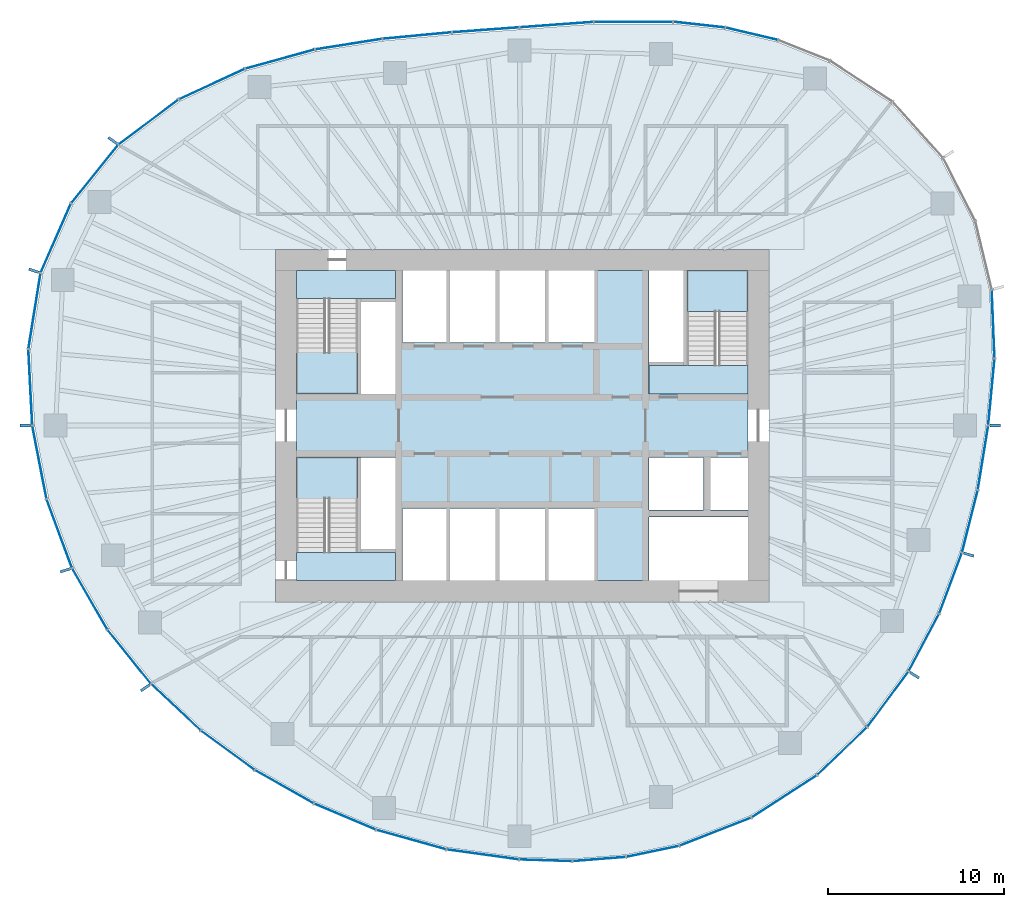
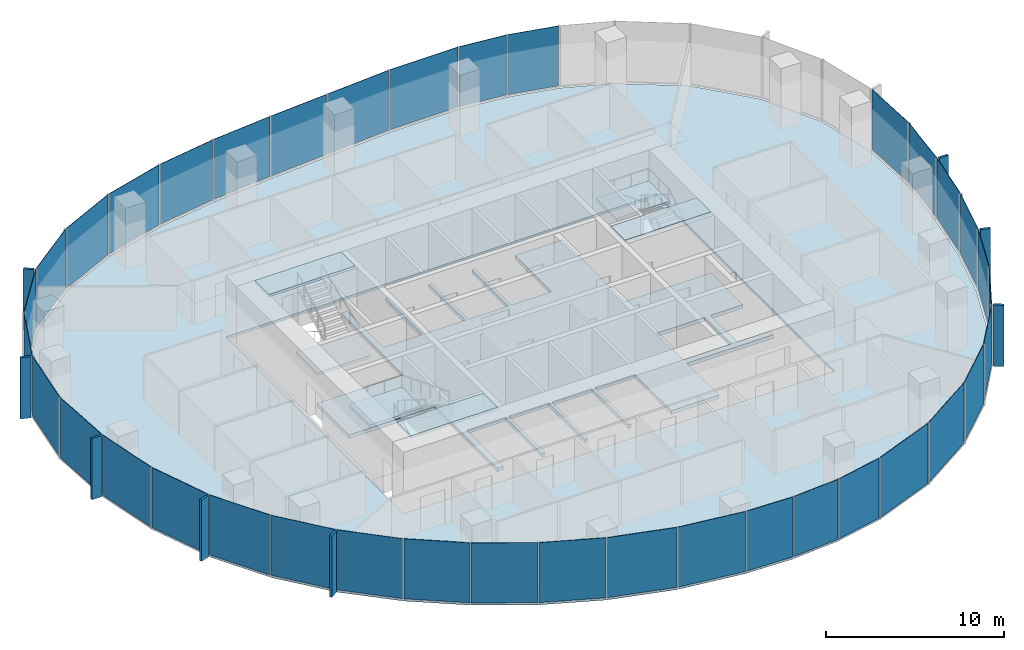
# One storey, part 7 of 12: 45 plates, 8 slabs, 21 elements without a shape of their own.
"""IFC4 building model written with IfcOpenShell, lengths in metres."""

from ifc_helpers import new_model, si_unit, direction, frame, origin, origin_2d, place, context, subcontext, project, spatial, polyline, rectangle, outline, extrude, material, layer, layer_set, type_object, element, aggregate, save


model = new_model("IFC4")

# Units and contexts
model_context = context("Model", 3, precision=1e-05, world=origin(), true_north=direction((0.0, 1.0)))
body_context = subcontext(model_context, "Body", "Model", "MODEL_VIEW")
ifc_project = project(units=[si_unit("LENGTHUNIT", "METRE"), si_unit("AREAUNIT", "SQUARE_METRE"), si_unit("VOLUMEUNIT", "CUBIC_METRE"), si_unit("PLANEANGLEUNIT", "RADIAN"), si_unit("MASSUNIT", "GRAM", prefix="KILO")], contexts=[model_context])

# Site, building, storey
site_placement = place(None, origin())
site = spatial("IfcSite", under=ifc_project, at=site_placement, CompositionType="ELEMENT")
building_placement = place(site_placement, origin())
building = spatial("IfcBuilding", under=site, at=building_placement, Name="Ghaith Harvest Tower", CompositionType="ELEMENT")
storey_placement = place(building_placement, frame((0.0, 0.0, 203.199951171875)))
storey = spatial("IfcBuildingStorey", under=building, at=storey_placement, Name="L44", CompositionType="ELEMENT", Elevation=203.199951171875)

# Curtain wall, plates
ifc_material_1 = material(Name="Black anodised aluminium and fritted glass", Category="aluminium")
curtain_wall_type = type_object("IfcCurtainWallType", Name="CW-H CURTAIN WALL", PredefinedType="NOTDEFINED", material=ifc_material_1)
curtain_wall_1_placement = place(storey_placement, origin())
curtain_wall_1 = element("IfcCurtainWall", 1, at=curtain_wall_1_placement, inside=storey, type_object=curtain_wall_type, Name="Curtain wall CW-H bay 01 L44", PredefinedType="NOTDEFINED")
ifc_material_2 = material(Name="Glass, dark solar-control fritted double glazed unit", Category="glass")
ifc_layer_1 = layer(ifc_material_2, 0.030029296875)
ifc_layer_set_1 = layer_set([ifc_layer_1], Name="CW-H VISION PANEL")
plate_type_1 = type_object("IfcPlateType", Name="CW-H VISION PANEL", PredefinedType="CURTAIN_PANEL", material=ifc_layer_set_1)
plate_1_placement = place(storey_placement, frame((26.624755859375, 1.89794921875, 0.080078125), z_axis=(0.0, 0.0, 1.0), x_axis=(0.094301909937, 0.995543645343, 0.0)))
plate_1 = element("IfcPlate", 2, at=plate_1_placement, type_object=plate_type_1, Name="CW-H glass unit 1 bay 01 L44", PredefinedType="CURTAIN_PANEL", context=body_context, shape_type="SweptSolid", body=[
    extrude(rectangle(XDim=3.73291015625, YDim=0.030029296875, at=origin_2d()), origin(), (0.0, 0.0, 1.0), 4.1201171875),
])
plate_2_placement = place(storey_placement, frame((26.7255859375, 5.74853515625, 0.080078125), z_axis=(0.0, 0.0, 1.0), x_axis=(-0.040462173218, 0.999181070947, 0.0)))
plate_2 = element("IfcPlate", 3, at=plate_2_placement, type_object=plate_type_1, Name="CW-H glass unit 2 bay 01 L44", PredefinedType="CURTAIN_PANEL", context=body_context, shape_type="SweptSolid", body=[
    extrude(rectangle(XDim=3.82861328125, YDim=0.030029296875, at=origin_2d()), origin(), (0.0, 0.0, 1.0), 4.1201171875),
])
aggregate(curtain_wall_1, [plate_1, plate_2])

curtain_wall_2_placement = place(storey_placement, origin())
curtain_wall_2 = element("IfcCurtainWall", 4, at=curtain_wall_2_placement, inside=storey, type_object=curtain_wall_type, Name="Curtain wall CW-H bay 04 L44", PredefinedType="NOTDEFINED")
plate_3_placement = place(storey_placement, frame((13.027099609375, 22.225341796875, 0.080078125), z_axis=(0.0, 0.0, 1.0), x_axis=(-0.973266235028, 0.229679854916, 0.0)))
plate_3 = element("IfcPlate", 5, at=plate_3_placement, type_object=plate_type_1, Name="CW-H glass unit 2 bay 04 L44", PredefinedType="CURTAIN_PANEL", context=body_context, shape_type="SweptSolid", body=[
    extrude(rectangle(XDim=3.00244140625, YDim=0.030029296875, at=origin_2d()), origin(), (0.0, 0.0, 1.0), 4.1201171875),
])
plate_4_placement = place(storey_placement, frame((10.045654296875, 22.744384765625, 0.080078125), z_axis=(0.0, 0.0, 1.0), x_axis=(-0.993865217442, 0.11059805405, 0.0)))
plate_4 = element("IfcPlate", 6, at=plate_4_placement, type_object=plate_type_1, Name="CW-H glass unit 3 bay 04 L44", PredefinedType="CURTAIN_PANEL", context=body_context, shape_type="SweptSolid", body=[
    extrude(rectangle(XDim=2.901123046875, YDim=0.030029296875, at=origin_2d()), origin(), (0.0, 0.0, 1.0), 4.1201171875),
])
aggregate(curtain_wall_2, [plate_3, plate_4])

curtain_wall_3_placement = place(storey_placement, origin())
curtain_wall_3 = element("IfcCurtainWall", 7, at=curtain_wall_3_placement, inside=storey, type_object=curtain_wall_type, Name="Curtain wall CW-H bay 05 L44", PredefinedType="NOTDEFINED")
plate_5_placement = place(storey_placement, frame((6.31201171875, 22.904296875, 0.080078125), z_axis=(0.0, 0.0, 1.0), x_axis=(-0.999997643645, -0.002170876291, 0.0)))
plate_5 = element("IfcPlate", 8, at=plate_5_placement, type_object=plate_type_1, Name="CW-H glass unit 1 bay 05 L44", PredefinedType="CURTAIN_PANEL", context=body_context, shape_type="SweptSolid", body=[
    extrude(rectangle(XDim=4.4248046875, YDim=0.030029296875, at=origin_2d()), origin(), (0.0, 0.0, 1.0), 4.1201171875),
])
plate_6_placement = place(storey_placement, frame((1.952392578125, 22.744873046875, 0.080078125), z_axis=(0.0, 0.0, 1.0), x_axis=(-0.997324570719, -0.073100619976, 0.0)))
plate_6 = element("IfcPlate", 9, at=plate_6_placement, type_object=plate_type_1, Name="CW-H glass unit 2 bay 05 L44", PredefinedType="CURTAIN_PANEL", context=body_context, shape_type="SweptSolid", body=[
    extrude(rectangle(XDim=4.1455078125, YDim=0.030029296875, at=origin_2d()), origin(), (0.0, 0.0, 1.0), 4.1201171875),
])
aggregate(curtain_wall_3, [plate_5, plate_6])

curtain_wall_4_placement = place(storey_placement, origin())
curtain_wall_4 = element("IfcCurtainWall", 10, at=curtain_wall_4_placement, inside=storey, type_object=curtain_wall_type, Name="Curtain wall CW-H bay 06 L44", PredefinedType="NOTDEFINED")
plate_7_placement = place(storey_placement, frame((-2.0693359375, 22.450439453125, 0.080078125), z_axis=(0.0, 0.0, 1.0), x_axis=(-0.997334393671, -0.072966479985, 0.0)))
plate_7 = element("IfcPlate", 11, at=plate_7_placement, type_object=plate_type_1, Name="CW-H glass unit 1 bay 06 L44", PredefinedType="CURTAIN_PANEL", context=body_context, shape_type="SweptSolid", body=[
    extrude(rectangle(XDim=3.759765625, YDim=0.030029296875, at=origin_2d()), origin(), (0.0, 0.0, 1.0), 4.1201171875),
])
plate_8_placement = place(storey_placement, frame((-5.954345703125, 22.12548828125, 0.080078125), z_axis=(0.0, 0.0, 1.0), x_axis=(-0.995631991968, -0.093364535934, 0.0)))
plate_8 = element("IfcPlate", 12, at=plate_8_placement, type_object=plate_type_1, Name="CW-H glass unit 2 bay 06 L44", PredefinedType="CURTAIN_PANEL", context=body_context, shape_type="SweptSolid", body=[
    extrude(rectangle(XDim=3.87744140625, YDim=0.030029296875, at=origin_2d()), origin(), (0.0, 0.0, 1.0), 4.1201171875),
])
aggregate(curtain_wall_4, [plate_7, plate_8])

curtain_wall_5_placement = place(storey_placement, origin())
curtain_wall_5 = element("IfcCurtainWall", 13, at=curtain_wall_5_placement, inside=storey, type_object=curtain_wall_type, Name="Curtain wall CW-H bay 07 L44", PredefinedType="NOTDEFINED")
plate_9_placement = place(storey_placement, frame((-9.83837890625, 21.638671875, 0.080078125), z_axis=(0.0, 0.0, 1.0), x_axis=(-0.98777033338, -0.155915901993, 0.0)))
plate_9 = element("IfcPlate", 14, at=plate_9_placement, type_object=plate_type_1, Name="CW-H glass unit 1 bay 07 L44", PredefinedType="CURTAIN_PANEL", context=body_context, shape_type="SweptSolid", body=[
    extrude(rectangle(XDim=3.795166015625, YDim=0.030029296875, at=origin_2d()), origin(), (0.0, 0.0, 1.0), 4.1201171875),
])
plate_10_placement = place(storey_placement, frame((-13.736572265625, 20.78955078125, 0.080078125), z_axis=(0.0, 0.0, 1.0), x_axis=(-0.964034113875, -0.26577853052, 0.0)))
plate_10 = element("IfcPlate", 15, at=plate_10_placement, type_object=plate_type_1, Name="CW-H glass unit 2 bay 07 L44", PredefinedType="CURTAIN_PANEL", context=body_context, shape_type="SweptSolid", body=[
    extrude(rectangle(XDim=4.03662109375, YDim=0.030029296875, at=origin_2d()), origin(), (0.0, 0.0, 1.0), 4.1201171875),
])
aggregate(curtain_wall_5, [plate_9, plate_10])

curtain_wall_6_placement = place(storey_placement, origin())
curtain_wall_6 = element("IfcCurtainWall", 16, at=curtain_wall_6_placement, inside=storey, type_object=curtain_wall_type, Name="Curtain wall CW-H bay 08 L44", PredefinedType="NOTDEFINED")
plate_11_placement = place(storey_placement, frame((-17.608154296875, 19.370849609375, 0.080078125), z_axis=(0.0, 0.0, 1.0), x_axis=(-0.907814470414, -0.419372015408, 0.0)))
plate_11 = element("IfcPlate", 17, at=plate_11_placement, type_object=plate_type_1, Name="CW-H glass unit 1 bay 08 L44", PredefinedType="CURTAIN_PANEL", context=body_context, shape_type="SweptSolid", body=[
    extrude(rectangle(XDim=4.077392578125, YDim=0.030029296875, at=origin_2d()), origin(), (0.0, 0.0, 1.0), 4.1201171875),
])
plate_12_placement = place(storey_placement, frame((-21.20166015625, 17.219482421875, 0.080078125), z_axis=(0.0, 0.0, 1.0), x_axis=(-0.800067053187, -0.599910585341, 0.0)))
plate_12 = element("IfcPlate", 18, at=plate_12_placement, type_object=plate_type_1, Name="CW-H glass unit 2 bay 08 L44", PredefinedType="CURTAIN_PANEL", context=body_context, shape_type="SweptSolid", body=[
    extrude(rectangle(XDim=4.18603515625, YDim=0.030029296875, at=origin_2d()), origin(), (0.0, 0.0, 1.0), 4.1201171875),
])
aggregate(curtain_wall_6, [plate_11, plate_12])

curtain_wall_7_placement = place(storey_placement, origin())
curtain_wall_7 = element("IfcCurtainWall", 19, at=curtain_wall_7_placement, inside=storey, type_object=curtain_wall_type, Name="Curtain wall CW-H bay 09 L44", PredefinedType="NOTDEFINED")
plate_13_placement = place(storey_placement, frame((-24.25390625, 14.270263671875, 0.080078125), z_axis=(0.0, 0.0, 1.0), x_axis=(-0.627547637499, -0.778578167347, 0.0)))
plate_13 = element("IfcPlate", 20, at=plate_13_placement, type_object=plate_type_1, Name="CW-H glass unit 1 bay 09 L44", PredefinedType="CURTAIN_PANEL", context=body_context, shape_type="SweptSolid", body=[
    extrude(rectangle(XDim=4.208740234375, YDim=0.030029296875, at=origin_2d()), origin(), (0.0, 0.0, 1.0), 4.1201171875),
])
plate_14_placement = place(storey_placement, frame((-26.462646484375, 10.63037109375, 0.080078125), z_axis=(0.0, 0.0, 1.0), x_axis=(-0.40121291108, -0.915984825192, 0.0)))
plate_14 = element("IfcPlate", 21, at=plate_14_placement, type_object=plate_type_1, Name="CW-H glass unit 2 bay 09 L44", PredefinedType="CURTAIN_PANEL", context=body_context, shape_type="SweptSolid", body=[
    extrude(rectangle(XDim=4.22216796875, YDim=0.030029296875, at=origin_2d()), origin(), (0.0, 0.0, 1.0), 4.1201171875),
])
aggregate(curtain_wall_7, [plate_13, plate_14])

curtain_wall_8_placement = place(storey_placement, origin())
curtain_wall_8 = element("IfcCurtainWall", 22, at=curtain_wall_8_placement, inside=storey, type_object=curtain_wall_type, Name="Curtain wall CW-H bay 10 L44", PredefinedType="NOTDEFINED")
plate_15_placement = place(storey_placement, frame((-27.670654296875, 6.49658203125, 0.080078125), z_axis=(0.0, 0.0, 1.0), x_axis=(-0.157514341695, -0.987516699687, 0.0)))
plate_15 = element("IfcPlate", 23, at=plate_15_placement, type_object=plate_type_1, Name="CW-H glass unit 1 bay 10 L44", PredefinedType="CURTAIN_PANEL", context=body_context, shape_type="SweptSolid", body=[
    extrude(rectangle(XDim=4.301513671875, YDim=0.030029296875, at=origin_2d()), origin(), (0.0, 0.0, 1.0), 4.1201171875),
])
plate_16_placement = place(storey_placement, frame((-27.905517578125, 2.16650390625, 0.080078125), z_axis=(0.0, 0.0, 1.0), x_axis=(0.050894857592, -0.998704016949, 0.0)))
plate_16 = element("IfcPlate", 24, at=plate_16_placement, type_object=plate_type_1, Name="CW-H glass unit 2 bay 10 L44", PredefinedType="CURTAIN_PANEL", context=body_context, shape_type="SweptSolid", body=[
    extrude(rectangle(XDim=4.2587890625, YDim=0.030029296875, at=origin_2d()), origin(), (0.0, 0.0, 1.0), 4.1201171875),
])
aggregate(curtain_wall_8, [plate_15, plate_16])

curtain_wall_9_placement = place(storey_placement, origin())
curtain_wall_9 = element("IfcCurtainWall", 25, at=curtain_wall_9_placement, inside=storey, type_object=curtain_wall_type, Name="Curtain wall CW-H bay 11 L44", PredefinedType="NOTDEFINED")
plate_17_placement = place(storey_placement, frame((-27.39013671875, -2.0869140625, 0.080078125), z_axis=(0.0, 0.0, 1.0), x_axis=(0.190426809322, -0.981701395686, 0.0)))
plate_17 = element("IfcPlate", 26, at=plate_17_placement, type_object=plate_type_1, Name="CW-H glass unit 1 bay 11 L44", PredefinedType="CURTAIN_PANEL", context=body_context, shape_type="SweptSolid", body=[
    extrude(rectangle(XDim=4.171630859375, YDim=0.030029296875, at=origin_2d()), origin(), (0.0, 0.0, 1.0), 4.1201171875),
])
plate_18_placement = place(storey_placement, frame((-26.261962890625, -6.1337890625, 0.080078125), z_axis=(0.0, 0.0, 1.0), x_axis=(0.346303431688, -0.938122557666, 0.0)))
plate_18 = element("IfcPlate", 27, at=plate_18_placement, type_object=plate_type_1, Name="CW-H glass unit 2 bay 11 L44", PredefinedType="CURTAIN_PANEL", context=body_context, shape_type="SweptSolid", body=[
    extrude(rectangle(XDim=4.098388671875, YDim=0.030029296875, at=origin_2d()), origin(), (0.0, 0.0, 1.0), 4.1201171875),
])
aggregate(curtain_wall_9, [plate_17, plate_18])

curtain_wall_10_placement = place(storey_placement, origin())
curtain_wall_10 = element("IfcCurtainWall", 28, at=curtain_wall_10_placement, inside=storey, type_object=curtain_wall_type, Name="Curtain wall CW-H bay 12 L44", PredefinedType="NOTDEFINED")
plate_19_placement = place(storey_placement, frame((-24.535888671875, -9.838623046875, 0.080078125), z_axis=(0.0, 0.0, 1.0), x_axis=(0.49818018945, -0.867073525625, 0.0)))
plate_19 = element("IfcPlate", 29, at=plate_19_placement, type_object=plate_type_1, Name="CW-H glass unit 1 bay 12 L44", PredefinedType="CURTAIN_PANEL", context=body_context, shape_type="SweptSolid", body=[
    extrude(rectangle(XDim=3.945068359375, YDim=0.030029296875, at=origin_2d()), origin(), (0.0, 0.0, 1.0), 4.1201171875),
])
plate_20_placement = place(storey_placement, frame((-22.29736328125, -13.119140625, 0.080078125), z_axis=(0.0, 0.0, 1.0), x_axis=(0.626957061695, -0.779053812513, 0.0)))
plate_20 = element("IfcPlate", 30, at=plate_20_placement, type_object=plate_type_1, Name="CW-H glass unit 2 bay 12 L44", PredefinedType="CURTAIN_PANEL", context=body_context, shape_type="SweptSolid", body=[
    extrude(rectangle(XDim=3.8623046875, YDim=0.030029296875, at=origin_2d()), origin(), (0.0, 0.0, 1.0), 4.1201171875),
])
aggregate(curtain_wall_10, [plate_19, plate_20])

curtain_wall_11_placement = place(storey_placement, origin())
curtain_wall_11 = element("IfcCurtainWall", 31, at=curtain_wall_11_placement, inside=storey, type_object=curtain_wall_type, Name="Curtain wall CW-H bay 13 L44", PredefinedType="NOTDEFINED")
plate_21_placement = place(storey_placement, frame((-19.649658203125, -15.98046875, 0.080078125), z_axis=(0.0, 0.0, 1.0), x_axis=(0.729016864325, -0.684495735217, 0.0)))
plate_21 = element("IfcPlate", 32, at=plate_21_placement, type_object=plate_type_1, Name="CW-H glass unit 1 bay 13 L44", PredefinedType="CURTAIN_PANEL", context=body_context, shape_type="SweptSolid", body=[
    extrude(rectangle(XDim=3.793212890625, YDim=0.030029296875, at=origin_2d()), origin(), (0.0, 0.0, 1.0), 4.1201171875),
])
plate_22_placement = place(storey_placement, frame((-16.707763671875, -18.42431640625, 0.080078125), z_axis=(0.0, 0.0, 1.0), x_axis=(0.80736351134, -0.590054370848, 0.0)))
plate_22 = element("IfcPlate", 33, at=plate_22_placement, type_object=plate_type_1, Name="CW-H glass unit 2 bay 13 L44", PredefinedType="CURTAIN_PANEL", context=body_context, shape_type="SweptSolid", body=[
    extrude(rectangle(XDim=3.710693359375, YDim=0.030029296875, at=origin_2d()), origin(), (0.0, 0.0, 1.0), 4.1201171875),
])
aggregate(curtain_wall_11, [plate_21, plate_22])

curtain_wall_12_placement = place(storey_placement, origin())
curtain_wall_12 = element("IfcCurtainWall", 34, at=curtain_wall_12_placement, inside=storey, type_object=curtain_wall_type, Name="Curtain wall CW-H bay 14 L44", PredefinedType="NOTDEFINED")
plate_23_placement = place(storey_placement, frame((-13.496337890625, -20.496826171875, 0.080078125), z_axis=(0.0, 0.0, 1.0), x_axis=(0.869715300233, -0.493553742303, 0.0)))
plate_23 = element("IfcPlate", 35, at=plate_23_placement, type_object=plate_type_1, Name="CW-H glass unit 1 bay 14 L44", PredefinedType="CURTAIN_PANEL", context=body_context, shape_type="SweptSolid", body=[
    extrude(rectangle(XDim=3.785888671875, YDim=0.030029296875, at=origin_2d()), origin(), (0.0, 0.0, 1.0), 4.1201171875),
])
plate_24_placement = place(storey_placement, frame((-10.050537109375, -22.1962890625, 0.080078125), z_axis=(0.0, 0.0, 1.0), x_axis=(0.921181516072, -0.389133157734, 0.0)))
plate_24 = element("IfcPlate", 36, at=plate_24_placement, type_object=plate_type_1, Name="CW-H glass unit 2 bay 14 L44", PredefinedType="CURTAIN_PANEL", context=body_context, shape_type="SweptSolid", body=[
    extrude(rectangle(XDim=3.751220703125, YDim=0.030029296875, at=origin_2d()), origin(), (0.0, 0.0, 1.0), 4.1201171875),
])
aggregate(curtain_wall_12, [plate_23, plate_24])

curtain_wall_13_placement = place(storey_placement, origin())
curtain_wall_13 = element("IfcCurtainWall", 37, at=curtain_wall_13_placement, inside=storey, type_object=curtain_wall_type, Name="Curtain wall CW-H bay 15 L44", PredefinedType="NOTDEFINED")
plate_25_placement = place(storey_placement, frame((-6.291015625, -23.49853515625, 0.080078125), z_axis=(0.0, 0.0, 1.0), x_axis=(0.963162861349, -0.268918765647, 0.0)))
plate_25 = element("IfcPlate", 38, at=plate_25_placement, type_object=plate_type_1, Name="CW-H glass unit 1 bay 15 L44", PredefinedType="CURTAIN_PANEL", context=body_context, shape_type="SweptSolid", body=[
    extrude(rectangle(XDim=4.062744140625, YDim=0.030029296875, at=origin_2d()), origin(), (0.0, 0.0, 1.0), 4.1201171875),
])
plate_26_placement = place(storey_placement, frame((-2.232177734375, -24.34033203125, 0.080078125), z_axis=(0.0, 0.0, 1.0), x_axis=(0.990612268407, -0.136701622823, 0.0)))
plate_26 = element("IfcPlate", 39, at=plate_26_placement, type_object=plate_type_1, Name="CW-H glass unit 2 bay 15 L44", PredefinedType="CURTAIN_PANEL", context=body_context, shape_type="SweptSolid", body=[
    extrude(rectangle(XDim=4.08642578125, YDim=0.030029296875, at=origin_2d()), origin(), (0.0, 0.0, 1.0), 4.1201171875),
])
aggregate(curtain_wall_13, [plate_25, plate_26])

curtain_wall_14_placement = place(storey_placement, origin())
curtain_wall_14 = element("IfcCurtainWall", 40, at=curtain_wall_14_placement, inside=storey, type_object=curtain_wall_type, Name="Curtain wall CW-H bay 16 L44", PredefinedType="NOTDEFINED")
plate_27_placement = place(storey_placement, frame((1.339599609375, -24.67333984375, 0.080078125), z_axis=(0.0, 0.0, 1.0), x_axis=(0.99949125523, -0.031894054587, 0.0)))
plate_27 = element("IfcPlate", 41, at=plate_27_placement, type_object=plate_type_1, Name="CW-H glass unit 1 bay 16 L44", PredefinedType="CURTAIN_PANEL", context=body_context, shape_type="SweptSolid", body=[
    extrude(rectangle(XDim=2.937744140625, YDim=0.030029296875, at=origin_2d()), origin(), (0.0, 0.0, 1.0), 4.1201171875),
])
plate_28_placement = place(storey_placement, frame((4.37060546875, -24.60205078125, 0.080078125), z_axis=(0.0, 0.0, 1.0), x_axis=(0.996945418782, 0.078101421048, 0.0)))
plate_28 = element("IfcPlate", 42, at=plate_28_placement, type_object=plate_type_1, Name="CW-H glass unit 2 bay 16 L44", PredefinedType="CURTAIN_PANEL", context=body_context, shape_type="SweptSolid", body=[
    extrude(rectangle(XDim=2.974853515625, YDim=0.030029296875, at=origin_2d()), origin(), (0.0, 0.0, 1.0), 4.1201171875),
])
plate_29_placement = place(storey_placement, frame((7.40478515625, -24.16650390625, 0.080078125), z_axis=(0.0, 0.0, 1.0), x_axis=(0.978788872874, 0.204871526422, 0.0)))
plate_29 = element("IfcPlate", 43, at=plate_29_placement, type_object=plate_type_1, Name="CW-H glass unit 3 bay 16 L44", PredefinedType="CURTAIN_PANEL", context=body_context, shape_type="SweptSolid", body=[
    extrude(rectangle(XDim=3.00830078125, YDim=0.030029296875, at=origin_2d()), origin(), (0.0, 0.0, 1.0), 4.1201171875),
])
aggregate(curtain_wall_14, [plate_27, plate_28, plate_29])

curtain_wall_15_placement = place(storey_placement, origin())
curtain_wall_15 = element("IfcCurtainWall", 44, at=curtain_wall_15_placement, inside=storey, type_object=curtain_wall_type, Name="Curtain wall CW-H bay 17 L44", PredefinedType="NOTDEFINED")
plate_30_placement = place(storey_placement, frame((10.963134765625, -23.048583984375, 0.080078125), z_axis=(0.0, 0.0, 1.0), x_axis=(0.931161161765, 0.364607858966, 0.0)))
plate_30 = element("IfcPlate", 45, at=plate_30_placement, type_object=plate_type_1, Name="CW-H glass unit 1 bay 17 L44", PredefinedType="CURTAIN_PANEL", context=body_context, shape_type="SweptSolid", body=[
    extrude(rectangle(XDim=4.316650390625, YDim=0.030029296875, at=origin_2d()), origin(), (0.0, 0.0, 1.0), 4.1201171875),
])
plate_31_placement = place(storey_placement, frame((14.869384765625, -21.042724609375, 0.080078125), z_axis=(0.0, 0.0, 1.0), x_axis=(0.839305300126, 0.543660384045, 0.0)))
plate_31 = element("IfcPlate", 46, at=plate_31_placement, type_object=plate_type_1, Name="CW-H glass unit 2 bay 17 L44", PredefinedType="CURTAIN_PANEL", context=body_context, shape_type="SweptSolid", body=[
    extrude(rectangle(XDim=4.35107421875, YDim=0.030029296875, at=origin_2d()), origin(), (0.0, 0.0, 1.0), 4.1201171875),
])
aggregate(curtain_wall_15, [plate_30, plate_31])

curtain_wall_16_placement = place(storey_placement, origin())
curtain_wall_16 = element("IfcCurtainWall", 47, at=curtain_wall_16_placement, inside=storey, type_object=curtain_wall_type, Name="Curtain wall CW-H bay 18 L44", PredefinedType="NOTDEFINED")
plate_32_placement = place(storey_placement, frame((18.151611328125, -18.47705078125, 0.080078125), z_axis=(0.0, 0.0, 1.0), x_axis=(0.722532585058, 0.691336866896, 0.0)))
plate_32 = element("IfcPlate", 48, at=plate_32_placement, type_object=plate_type_1, Name="CW-H glass unit 1 bay 18 L44", PredefinedType="CURTAIN_PANEL", context=body_context, shape_type="SweptSolid", body=[
    extrude(rectangle(XDim=3.85791015625, YDim=0.030029296875, at=origin_2d()), origin(), (0.0, 0.0, 1.0), 4.1201171875),
])
plate_33_placement = place(storey_placement, frame((20.74853515625, -15.53369140625, 0.080078125), z_axis=(0.0, 0.0, 1.0), x_axis=(0.596018639888, 0.802970597784, 0.0)))
plate_33 = element("IfcPlate", 49, at=plate_33_placement, type_object=plate_type_1, Name="CW-H glass unit 2 bay 18 L44", PredefinedType="CURTAIN_PANEL", context=body_context, shape_type="SweptSolid", body=[
    extrude(rectangle(XDim=3.8603515625, YDim=0.030029296875, at=origin_2d()), origin(), (0.0, 0.0, 1.0), 4.1201171875),
])
aggregate(curtain_wall_16, [plate_32, plate_33])

curtain_wall_17_placement = place(storey_placement, origin())
curtain_wall_17 = element("IfcCurtainWall", 50, at=curtain_wall_17_placement, inside=storey, type_object=curtain_wall_type, Name="Curtain wall CW-H bay 19 L44", PredefinedType="NOTDEFINED")
plate_34_placement = place(storey_placement, frame((22.79052734375, -12.316162109375, 0.080078125), z_axis=(0.0, 0.0, 1.0), x_axis=(0.46864379564, 0.883387226989, 0.0)))
plate_34 = element("IfcPlate", 51, at=plate_34_placement, type_object=plate_type_1, Name="CW-H glass unit 1 bay 19 L44", PredefinedType="CURTAIN_PANEL", context=body_context, shape_type="SweptSolid", body=[
    extrude(rectangle(XDim=3.623291015625, YDim=0.030029296875, at=origin_2d()), origin(), (0.0, 0.0, 1.0), 4.1201171875),
])
plate_35_placement = place(storey_placement, frame((24.30712890625, -8.946533203125, 0.080078125), z_axis=(0.0, 0.0, 1.0), x_axis=(0.350480749824, 0.936569935457, 0.0)))
plate_35 = element("IfcPlate", 52, at=plate_35_placement, type_object=plate_type_1, Name="CW-H glass unit 2 bay 19 L44", PredefinedType="CURTAIN_PANEL", context=body_context, shape_type="SweptSolid", body=[
    extrude(rectangle(XDim=3.62255859375, YDim=0.030029296875, at=origin_2d()), origin(), (0.0, 0.0, 1.0), 4.1201171875),
])
aggregate(curtain_wall_17, [plate_34, plate_35])

curtain_wall_18_placement = place(storey_placement, origin())
curtain_wall_18 = element("IfcCurtainWall", 53, at=curtain_wall_18_placement, inside=storey, type_object=curtain_wall_type, Name="Curtain wall CW-H bay 20 L44", PredefinedType="NOTDEFINED")
plate_36_placement = place(storey_placement, frame((25.404541015625, -5.43701171875, 0.080078125), z_axis=(0.0, 0.0, 1.0), x_axis=(0.244925945134, 0.969541789404, 0.0)))
plate_36 = element("IfcPlate", 54, at=plate_36_placement, type_object=plate_type_1, Name="CW-H glass unit 1 bay 20 L44", PredefinedType="CURTAIN_PANEL", context=body_context, shape_type="SweptSolid", body=[
    extrude(rectangle(XDim=3.583251953125, YDim=0.030029296875, at=origin_2d()), origin(), (0.0, 0.0, 1.0), 4.1201171875),
])
plate_37_placement = place(storey_placement, frame((26.14892578125, -1.83056640625, 0.080078125), z_axis=(0.0, 0.0, 1.0), x_axis=(0.159600748097, 0.987181645497, 0.0)))
plate_37 = element("IfcPlate", 55, at=plate_37_placement, type_object=plate_type_1, Name="CW-H glass unit 2 bay 20 L44", PredefinedType="CURTAIN_PANEL", context=body_context, shape_type="SweptSolid", body=[
    extrude(rectangle(XDim=3.628662109375, YDim=0.030029296875, at=origin_2d()), origin(), (0.0, 0.0, 1.0), 4.1201171875),
])
aggregate(curtain_wall_18, [plate_36, plate_37])

# Slabs
ifc_material_3 = material(Name="Concrete C40/50", Category="concrete")
ifc_layer_2 = layer(ifc_material_3, 0.169921875)
ifc_layer_set_2 = layer_set([ifc_layer_2], Name="FLOOR SLAB 170")
slab_type_1 = type_object("IfcSlabType", Name="FLOOR SLAB 170", PredefinedType="FLOOR", material=ifc_layer_set_2)
slab_1_placement = place(storey_placement, frame((0.0, 0.0, -0.169921875)))
element("IfcSlab", 56, at=slab_1_placement, inside=storey, type_object=slab_type_1, Name="Floor slab L44", PredefinedType="FLOOR", context=body_context, shape_type="SweptSolid", body=[
    extrude(outline(polyline([(26.324951171875, 0.0), (26.685791015625, 3.779052734375), (26.531005859375, 7.668212890625), (25.597900390625, 11.55615234375), (23.77294921875, 15.12939453125), (20.923095703125, 18.295166015625), (17.382080078125, 20.612548828125), (14.460693359375, 21.771484375), (11.47265625, 22.47265625), (8.522216796875, 22.796875), (4.03857421875, 22.78125), (-0.15380859375, 22.470458984375), (-3.963134765625, 22.192138671875), (-7.8837890625, 21.827880859375), (-11.694580078125, 21.2314453125), (-15.6474609375, 20.147705078125), (-19.408203125, 18.41650390625), (-22.809814453125, 15.87109375), (-25.491943359375, 12.547607421875), (-27.211181640625, 8.623779296875), (-27.897216796875, 4.314697265625), (-27.675048828125, 0.0), (-26.86669921875, -4.155517578125), (-25.424072265625, -8.057373046875), (-23.425537109375, -11.530517578125), (-20.963134765625, -14.586181640625), (-18.15087890625, -17.223388671875), (-15.10400390625, -19.447998046875), (-11.75732421875, -21.345703125), (-8.2451171875, -22.82861328125), (-4.27490234375, -23.9375), (-0.167724609375, -24.505126953125), (2.833984375, -24.602294921875), (5.865234375, -24.3662109375), (8.8740234375, -23.73779296875), (12.949462890625, -22.1435546875), (16.651611328125, -19.746337890625), (19.48388671875, -17.036865234375), (21.821533203125, -13.887451171875), (23.548828125, -10.631103515625), (24.840576171875, -7.179443359375), (25.734375, -3.644287109375), (26.324951171875, 0.0)]), holes=[polyline([(-14.0, -10.0), (14.0, -10.0), (14.0, 10.0), (-14.0, 10.0), (-14.0, -10.0)])]), origin(), (0.0, 0.0, 1.0), 0.169921875),
])
ifc_material_4 = material(Name="Concrete C40/50", Category="concrete")
ifc_layer_3 = layer(ifc_material_4, 0.25)
ifc_layer_set_3 = layer_set([ifc_layer_3], Name="FLOOR SLAB 250")
slab_type_2 = type_object("IfcSlabType", Name="FLOOR SLAB 250", PredefinedType="FLOOR", material=ifc_layer_set_3)
slab_2_placement = place(storey_placement, frame((0.0, 0.0, -0.25)))
element("IfcSlab", 57, at=slab_2_placement, inside=storey, type_object=slab_type_2, Name="Core slab L44", PredefinedType="FLOOR", context=body_context, shape_type="SweptSolid", body=[
    extrude(outline(polyline([(-12.800048828125, 1.800048828125), (-7.199951171875, 1.800048828125), (-7.199951171875, 8.800048828125), (-6.800048828125, 8.800048828125), (-6.800048828125, 4.699951171875), (-4.300048828125, 4.699951171875), (-4.300048828125, 8.800048828125), (-4.10009765625, 8.800048828125), (-4.10009765625, 4.699951171875), (-1.5, 4.699951171875), (-1.5, 8.800048828125), (-1.300048828125, 8.800048828125), (-1.300048828125, 4.699951171875), (1.300048828125, 4.699951171875), (1.300048828125, 8.800048828125), (1.5, 8.800048828125), (1.5, 4.699951171875), (4.10009765625, 4.699951171875), (4.10009765625, 8.800048828125), (7.199951171875, 8.800048828125), (7.199951171875, 1.800048828125), (12.800048828125, 1.800048828125), (12.800048828125, -1.800048828125), (10.699951171875, -1.800048828125), (10.699951171875, -4.800048828125), (12.800048828125, -4.800048828125), (12.800048828125, -5.199951171875), (7.199951171875, -5.199951171875), (7.199951171875, -8.800048828125), (4.10009765625, -8.800048828125), (4.10009765625, -4.699951171875), (1.5, -4.699951171875), (1.5, -8.800048828125), (1.300048828125, -8.800048828125), (1.300048828125, -4.699951171875), (-1.300048828125, -4.699951171875), (-1.300048828125, -8.800048828125), (-1.5, -8.800048828125), (-1.5, -4.699951171875), (-4.10009765625, -4.699951171875), (-4.10009765625, -8.800048828125), (-4.300048828125, -8.800048828125), (-4.300048828125, -4.699951171875), (-6.800048828125, -4.699951171875), (-6.800048828125, -8.800048828125), (-7.199951171875, -8.800048828125), (-7.199951171875, -1.800048828125), (-12.800048828125, -1.800048828125), (-12.800048828125, 1.800048828125)]), holes=[polyline([(10.300048828125, -4.800048828125), (10.300048828125, -1.800048828125), (7.199951171875, -1.800048828125), (7.199951171875, -4.800048828125), (10.300048828125, -4.800048828125)])]), origin(), (0.0, 0.0, 1.0), 0.25),
])

# Stair, slabs
ifc_material_5 = material(Name="Concrete C40/50, precast", Category="concrete")
stair_type = type_object("IfcStairType", Name="CORE STAIR 24R", PredefinedType="HALF_TURN_STAIR", material=ifc_material_5)
stair_1_placement = place(storey_placement, origin())
stair_1 = element("IfcStair", 58, at=stair_1_placement, inside=storey, type_object=stair_type, Name="Stair ST1 L44", PredefinedType="HALF_TURN_STAIR")
ifc_material_6 = material(Name="Concrete C40/50, precast", Category="concrete")
ifc_layer_4 = layer(ifc_material_6, 0.179931640625)
ifc_layer_set_4 = layer_set([ifc_layer_4], Name="STAIR LANDING 180")
slab_type_3 = type_object("IfcSlabType", Name="STAIR LANDING 180", PredefinedType="LANDING", material=ifc_layer_set_4)
slab_3_placement = place(storey_placement, frame((0.0, 0.0, 1.920166015625)))
slab_3 = element("IfcSlab", 59, at=slab_3_placement, type_object=slab_type_3, Name="ST1 landing 1", PredefinedType="LANDING", context=body_context, shape_type="SweptSolid", body=[
    extrude(outline(polyline([(-12.800048828125, 4.139892578125), (-12.800048828125, 1.77490234375), (-9.35009765625, 1.77490234375), (-9.35009765625, 4.139892578125), (-12.800048828125, 4.139892578125)])), origin(), (0.0, 0.0, 1.0), 0.179931640625),
])
slab_4_placement = place(storey_placement, frame((0.0, 0.0, 4.02001953125)))
slab_4 = element("IfcSlab", 60, at=slab_4_placement, type_object=slab_type_3, Name="ST1 landing 2", PredefinedType="LANDING", context=body_context, shape_type="SweptSolid", body=[
    extrude(outline(polyline([(-12.800048828125, 8.800048828125), (-12.800048828125, 7.199951171875), (-7.199951171875, 7.199951171875), (-7.199951171875, 8.800048828125), (-12.800048828125, 8.800048828125)])), origin(), (0.0, 0.0, 1.0), 0.179931640625),
])
aggregate(stair_1, [slab_3, slab_4])

stair_2_placement = place(storey_placement, origin())
stair_2 = element("IfcStair", 61, at=stair_2_placement, inside=storey, type_object=stair_type, Name="Stair ST3 L44", PredefinedType="HALF_TURN_STAIR")
slab_5_placement = place(storey_placement, frame((0.0, 0.0, 1.920166015625)))
slab_5 = element("IfcSlab", 62, at=slab_5_placement, type_object=slab_type_3, Name="ST3 landing 1", PredefinedType="LANDING", context=body_context, shape_type="SweptSolid", body=[
    extrude(outline(polyline([(-12.800048828125, -4.139892578125), (-12.800048828125, -1.77490234375), (-9.35009765625, -1.77490234375), (-9.35009765625, -4.139892578125), (-12.800048828125, -4.139892578125)])), origin(), (0.0, 0.0, 1.0), 0.179931640625),
])
slab_6_placement = place(storey_placement, frame((0.0, 0.0, 4.02001953125)))
slab_6 = element("IfcSlab", 63, at=slab_6_placement, type_object=slab_type_3, Name="ST3 landing 2", PredefinedType="LANDING", context=body_context, shape_type="SweptSolid", body=[
    extrude(outline(polyline([(-12.800048828125, -8.800048828125), (-12.800048828125, -7.199951171875), (-7.199951171875, -7.199951171875), (-7.199951171875, -8.800048828125), (-12.800048828125, -8.800048828125)])), origin(), (0.0, 0.0, 1.0), 0.179931640625),
])
aggregate(stair_2, [slab_5, slab_6])

stair_3_placement = place(storey_placement, origin())
stair_3 = element("IfcStair", 64, at=stair_3_placement, inside=storey, type_object=stair_type, Name="Stair ST2 L44", PredefinedType="HALF_TURN_STAIR")
slab_7_placement = place(storey_placement, frame((0.0, 0.0, 1.920166015625)))
slab_7 = element("IfcSlab", 65, at=slab_7_placement, type_object=slab_type_3, Name="ST2 landing 1", PredefinedType="LANDING", context=body_context, shape_type="SweptSolid", body=[
    extrude(outline(polyline([(12.800048828125, 6.4599609375), (12.800048828125, 8.800048828125), (9.35009765625, 8.800048828125), (9.35009765625, 6.4599609375), (12.800048828125, 6.4599609375)])), origin(), (0.0, 0.0, 1.0), 0.179931640625),
])
slab_8_placement = place(storey_placement, frame((0.0, 0.0, 4.02001953125)))
slab_8 = element("IfcSlab", 66, at=slab_8_placement, type_object=slab_type_3, Name="ST2 landing 2", PredefinedType="LANDING", context=body_context, shape_type="SweptSolid", body=[
    extrude(outline(polyline([(12.800048828125, 1.800048828125), (12.800048828125, 3.39990234375), (7.199951171875, 3.39990234375), (7.199951171875, 1.800048828125), (12.800048828125, 1.800048828125)])), origin(), (0.0, 0.0, 1.0), 0.179931640625),
])
aggregate(stair_3, [slab_7, slab_8])

# Plates
ifc_material_7 = material(Name="Glassfibre-reinforced concrete", Category="concrete")
ifc_layer_5 = layer(ifc_material_7, 0.14990234375)
ifc_layer_set_5 = layer_set([ifc_layer_5], Name="SUN-BREAKER FIN 600x150")
plate_type_2 = type_object("IfcPlateType", Name="SUN-BREAKER FIN 600x150", PredefinedType="USERDEFINED", material=ifc_layer_set_5)
for number, where, z_axis, x_axis, name in (
    (67, (26.844970703125, 0.0, 0.0), (0.0, 0.0, 1.0), (1.0, 0.0, 0.0), "Sun-breaker fin CW-H 1 bay 01 L44"),
    (68, (-23.236572265625, 16.168212890625, 0.0), (0.0, 0.0, 1.0), (-0.820845486523, 0.571150319316, 0.0), "Sun-breaker fin CW-H 1 bay 09 L44"),
    (69, (-27.70703125, 8.78076171875, 0.0), (0.0, 0.0, 1.0), (-0.953273219358, 0.302109531884, 0.0), "Sun-breaker fin CW-H 1 bay 10 L44"),
    (70, (-28.195068359375, 0.0, 0.0), (0.0, 0.0, 1.0), (-1.0, -4.19e-10, 0.0), "Sun-breaker fin CW-H 1 bay 11 L44"),
    (71, (-25.919677734375, -8.21435546875, 0.0), (0.0, 0.0, 1.0), (-0.953273219416, -0.302109531701, 0.0), "Sun-breaker fin CW-H 1 bay 12 L44"),
    (72, (-21.389892578125, -14.88330078125, 0.0), (0.0, 0.0, 1.0), (-0.820845486622, -0.571150319173, 0.0), "Sun-breaker fin CW-H 1 bay 13 L44"),
    (73, (22.26025390625, -14.16650390625, 0.0), (0.0, 0.0, 1.0), (0.84364397137, -0.536903016913, 0.0), "Sun-breaker fin CW-H 1 bay 19 L44"),
    (74, (25.340087890625, -7.32373046875, 0.0), (0.0, 0.0, 1.0), (0.960680349932, -0.277656739976, 0.0), "Sun-breaker fin CW-H 1 bay 20 L44"),
):
    element("IfcPlate", number, at=place(storey_placement, frame(where, z_axis=z_axis, x_axis=x_axis)), inside=storey, type_object=plate_type_2, Name=name, ObjectType="SUN-BREAKER FIN", PredefinedType="USERDEFINED", context=body_context, shape_type="SweptSolid", body=[
        extrude(rectangle(XDim=0.60009765625, YDim=0.14990234375, at=origin_2d()), origin(), (0.0, 0.0, 1.0), 4.199951171875),
    ])

save(model, "model.ifc")
